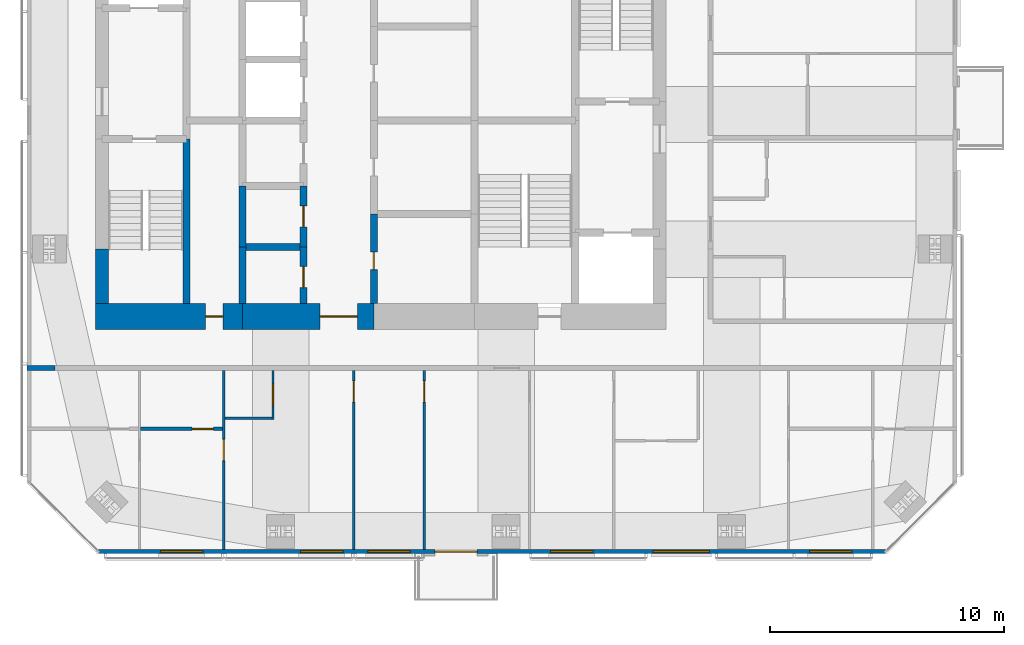
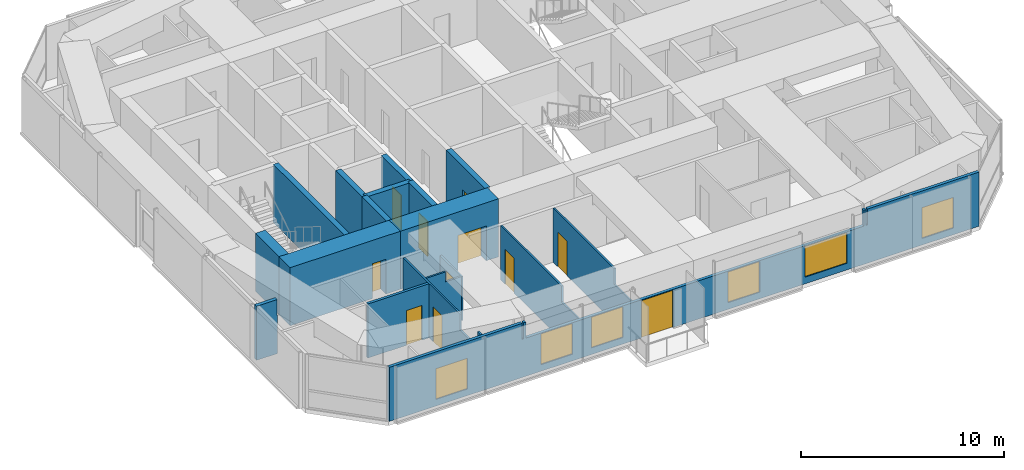
# One storey, part 13 of 18: 18 walls, 11 doors, 6 windows, 17 openings.
"""IFC4 building model written with IfcOpenShell, lengths in metres."""

from ifc_helpers import new_model, si_unit, direction, frame, frame_2d, origin, place, context, subcontext, project, spatial, polyline, rectangle, outline, extrude, material, layer, layer_set, constituent, constituent_set, type_object, element, fill, save


model = new_model("IFC4")

# Units and contexts
model_context = context("Model", 3, precision=1e-05, world=origin(), true_north=direction((0.0, 1.0)))
body_context = subcontext(model_context, "Body", "Model", "MODEL_VIEW")
ifc_project = project(units=[si_unit("LENGTHUNIT", "METRE"), si_unit("AREAUNIT", "SQUARE_METRE"), si_unit("VOLUMEUNIT", "CUBIC_METRE"), si_unit("PLANEANGLEUNIT", "RADIAN"), si_unit("MASSUNIT", "GRAM", prefix="KILO")], contexts=[model_context])

# Site, building, storey
site_placement = place(None, origin())
site = spatial("IfcSite", under=ifc_project, at=site_placement, CompositionType="ELEMENT")
building_placement = place(site_placement, origin())
building = spatial("IfcBuilding", under=site, at=building_placement, Name="Jalousie Tower", CompositionType="ELEMENT")
storey_placement = place(building_placement, frame((0.0, 0.0, 256.449951171875)))
storey = spatial("IfcBuildingStorey", under=building, at=storey_placement, Name="L70", CompositionType="ELEMENT", Elevation=256.449951171875)

# Wall, opening, door
ifc_material_1 = material(Name="Concrete block ASTM C90", Category="concrete")
ifc_constituent_1 = constituent(ifc_material_1, Name="Body")
ifc_material_2 = material(Name="Render")
ifc_constituent_2 = constituent(ifc_material_2, Name="Finish")
ifc_constituent_set_1 = constituent_set(constituents=[ifc_constituent_1, ifc_constituent_2])
wall_type_1 = type_object("IfcWallType", Name="BATHROOM WALL 150", PredefinedType="PLUMBINGWALL", material=ifc_constituent_set_1)
wall_1_placement = place(storey_placement, frame((21.64990234375, 5.324951171875, 0.0), z_axis=(0.0, 0.0, 1.0), x_axis=(1.0, 0.0, 0.0)))
wall_1 = element("IfcWall", 1, at=wall_1_placement, inside=storey, type_object=wall_type_1, Name="Bathroom Wall 150 L70", PredefinedType="PLUMBINGWALL", context=body_context, shape_type="SweptSolid", body=[
    extrude(rectangle(XDim=3.5, YDim=0.14990234375, at=frame_2d((1.75, 0.0))), origin(), (0.0, 0.0, 1.0), 3.260009765625),
])
opening_1_placement = place(wall_1_placement, frame((2.199951171875, 0.0, 0.0)))
opening_1 = element("IfcOpeningElement", 2, at=opening_1_placement, cuts=wall_1, Name="Opening D3", PredefinedType="OPENING", context=body_context, shape_type="SweptSolid", body=[
    extrude(rectangle(XDim=0.89990234375, YDim=2.10009765625, at=frame_2d((0.449951171875, 1.050048828125))), frame((0.0, 0.0849609375, 0.0), z_axis=(0.0, -1.0, 0.0), x_axis=(1.0, 0.0, 0.0)), (0.0, 0.0, 1.0), 0.169921875),
])
ifc_material_3 = material(Name="Timber door", Category="wood")
door_type_1 = type_object("IfcDoorType", Name="BATHROOM DOOR 900", OperationType="SINGLE_SWING_LEFT", PredefinedType="DOOR", material=ifc_material_3)
door_1_placement = place(opening_1_placement, origin())
door_1 = element("IfcDoor", 3, at=door_1_placement, inside=storey, type_object=door_type_1, Name="Apartment 7001 bedroom 2 bathroom door", OperationType="SINGLE_SWING_RIGHT", OverallHeight=2.10009765625, OverallWidth=0.89990234375, PredefinedType="DOOR", context=body_context, shape_type="SweptSolid", body=[
    extrude(rectangle(XDim=0.89990234375, YDim=2.10009765625, at=frame_2d((0.449951171875, 1.050048828125))), frame((0.0, 0.02490234375, 0.0), z_axis=(0.0, -1.0, 0.0), x_axis=(1.0, 0.0, 0.0)), (0.0, 0.0, 1.0), 0.050048828125),
])
fill(opening_1, door_1)

ifc_material_4 = material(Name="Concrete f'c 120 MPa", Category="concrete")
ifc_layer_1 = layer(ifc_material_4, 1.10009765625)
ifc_layer_set_1 = layer_set([ifc_layer_1], Name="Concrete f'c 120 MPa")
wall_type_2 = type_object("IfcWallType", Name="CORE WALL 1100", PredefinedType="SHEAR", material=ifc_layer_set_1)
wall_2_placement = place(storey_placement, frame((19.72509765625, 10.125, 0.0), z_axis=(0.0, 0.0, 1.0), x_axis=(1.0, 0.0, 0.0)))
wall_2 = element("IfcWall", 4, at=wall_2_placement, inside=storey, type_object=wall_type_2, Name="Core wall SA L70", PredefinedType="SHEAR", context=body_context, shape_type="SweptSolid", body=[
    extrude(rectangle(XDim=6.27490234375, YDim=1.10009765625, at=frame_2d((3.137451171875, 0.0))), origin(), (0.0, 0.0, 1.0), 3.5),
])
opening_2_placement = place(wall_2_placement, frame((4.699951171875, 0.0, 0.0)))
opening_2 = element("IfcOpeningElement", 5, at=opening_2_placement, cuts=wall_2, Name="Opening D16", PredefinedType="OPENING", context=body_context, shape_type="SweptSolid", body=[
    extrude(rectangle(XDim=0.75, YDim=2.10009765625, at=frame_2d((0.375, 1.050048828125))), frame((0.0, 0.56005859375, 0.0), z_axis=(0.0, -1.0, 0.0), x_axis=(1.0, 0.0, 0.0)), (0.0, 0.0, 1.0), 1.1201171875),
])
ifc_material_5 = material(Name="Steel fire door", Category="steel")
door_type_2 = type_object("IfcDoorType", Name="RISER DOOR 750", OperationType="SINGLE_SWING_LEFT", PredefinedType="DOOR", material=ifc_material_5)
door_2_placement = place(opening_2_placement, origin())
door_2 = element("IfcDoor", 6, at=door_2_placement, inside=storey, type_object=door_type_2, Name="South riser door", OperationType="SINGLE_SWING_RIGHT", OverallHeight=2.10009765625, OverallWidth=0.75, PredefinedType="DOOR", context=body_context, shape_type="SweptSolid", body=[
    extrude(rectangle(XDim=0.75, YDim=2.10009765625, at=frame_2d((0.375, 1.050048828125))), frame((0.0, 0.02490234375, 0.0), z_axis=(0.0, -1.0, 0.0), x_axis=(1.0, 0.0, 0.0)), (0.0, 0.0, 1.0), 0.050048828125),
])
fill(opening_2, door_2)

wall_3_placement = place(storey_placement, frame((26.0, 10.125, 0.0), z_axis=(0.0, 0.0, 1.0), x_axis=(1.0, 0.0, 0.0)))
wall_3 = element("IfcWall", 7, at=wall_3_placement, inside=storey, type_object=wall_type_2, Name="Core wall SB L70", PredefinedType="SHEAR", context=body_context, shape_type="SweptSolid", body=[
    extrude(rectangle(XDim=5.60009765625, YDim=1.10009765625, at=frame_2d((2.800048828125, 0.0))), origin(), (0.0, 0.0, 1.0), 3.5),
])
opening_3_placement = place(wall_3_placement, frame((3.300048828125, 0.0, 0.0)))
opening_3 = element("IfcOpeningElement", 8, at=opening_3_placement, cuts=wall_3, Name="Opening D15", PredefinedType="OPENING", context=body_context, shape_type="SweptSolid", body=[
    extrude(rectangle(XDim=1.60009765625, YDim=2.10009765625, at=frame_2d((0.800048828125, 1.050048828125))), frame((0.0, 0.56005859375, 0.0), z_axis=(0.0, -1.0, 0.0), x_axis=(1.0, 0.0, 0.0)), (0.0, 0.0, 1.0), 1.1201171875),
])
ifc_material_6 = material(Name="Steel fire door", Category="steel")
door_type_3 = type_object("IfcDoorType", Name="LIFT LOBBY DOOR 1600", OperationType="DOUBLE_DOOR_SINGLE_SWING", PredefinedType="DOOR", material=ifc_material_6)
door_3_placement = place(opening_3_placement, origin())
door_3 = element("IfcDoor", 9, at=door_3_placement, inside=storey, type_object=door_type_3, Name="Lift lobby south door", OperationType="DOUBLE_DOOR_SINGLE_SWING", OverallHeight=2.10009765625, OverallWidth=1.60009765625, PredefinedType="DOOR", context=body_context, shape_type="SweptSolid", body=[
    extrude(rectangle(XDim=1.60009765625, YDim=2.10009765625, at=frame_2d((0.800048828125, 1.050048828125))), frame((0.0, 0.02490234375, 0.0), z_axis=(0.0, -1.0, 0.0), x_axis=(1.0, 0.0, 0.0)), (0.0, 0.0, 1.0), 0.050048828125),
])
fill(opening_3, door_3)

# Walls
ifc_material_7 = material(Name="Concrete f'c 120 MPa", Category="concrete")
ifc_layer_2 = layer(ifc_material_7, 0.300048828125)
ifc_layer_set_2 = layer_set([ifc_layer_2], Name="Concrete f'c 120 MPa")
wall_type_3 = type_object("IfcWallType", Name="CORE WALL 300", PredefinedType="SHEAR", material=ifc_layer_set_2)
wall_4_placement = place(storey_placement, frame((23.60009765625, 10.675048828125, 0.0), z_axis=(0.0, 0.0, 1.0), x_axis=(0.0, 1.0, 0.0)))
element("IfcWall", 10, at=wall_4_placement, inside=storey, type_object=wall_type_3, Name="Core wall X23.6A L70", PredefinedType="SHEAR", context=body_context, shape_type="SweptSolid", body=[
    extrude(rectangle(XDim=7.02490234375, YDim=0.300048828125, at=frame_2d((3.512451171875, 0.0))), origin(), (0.0, 0.0, 1.0), 3.5),
])
wall_5_placement = place(storey_placement, frame((26.0, 10.675048828125, 0.0), z_axis=(0.0, 0.0, 1.0), x_axis=(0.0, 1.0, 0.0)))
element("IfcWall", 11, at=wall_5_placement, inside=storey, type_object=wall_type_3, Name="Core wall X26A L70", PredefinedType="SHEAR", context=body_context, shape_type="SweptSolid", body=[
    extrude(rectangle(XDim=2.425048828125, YDim=0.300048828125, at=frame_2d((1.21240234375, 0.0))), origin(), (0.0, 0.0, 1.0), 3.5),
])
wall_6_placement = place(storey_placement, frame((26.0, 13.10009765625, 0.0), z_axis=(0.0, 0.0, 1.0), x_axis=(0.0, 1.0, 0.0)))
element("IfcWall", 12, at=wall_6_placement, inside=storey, type_object=wall_type_3, Name="Core wall X26B L70", PredefinedType="SHEAR", context=body_context, shape_type="SweptSolid", body=[
    extrude(rectangle(XDim=2.599853515625, YDim=0.300048828125, at=frame_2d((1.2998046875, 0.0))), origin(), (0.0, 0.0, 1.0), 3.5),
])

# Wall, opening, door
wall_7_placement = place(storey_placement, frame((28.60009765625, 10.675048828125, 0.0), z_axis=(0.0, 0.0, 1.0), x_axis=(0.0, 1.0, 0.0)))
wall_7 = element("IfcWall", 13, at=wall_7_placement, inside=storey, type_object=wall_type_3, Name="Core wall X28.6A L70", PredefinedType="SHEAR", context=body_context, shape_type="SweptSolid", body=[
    extrude(rectangle(XDim=2.425048828125, YDim=0.300048828125, at=frame_2d((1.21240234375, 0.0))), origin(), (0.0, 0.0, 1.0), 3.5),
])
opening_4_placement = place(wall_7_placement, frame((0.6875, 0.0, 0.0)))
opening_4 = element("IfcOpeningElement", 14, at=opening_4_placement, cuts=wall_7, Name="Opening D24", PredefinedType="OPENING", context=body_context, shape_type="SweptSolid", body=[
    extrude(rectangle(XDim=0.89990234375, YDim=2.10009765625, at=frame_2d((0.449951171875, 1.050048828125))), frame((0.0, 0.159912109375, 0.0), z_axis=(0.0, -1.0, 0.0), x_axis=(1.0, 0.0, 0.0)), (0.0, 0.0, 1.0), 0.320068359375),
])
ifc_material_8 = material(Name="Steel fire door", Category="steel")
door_type_4 = type_object("IfcDoorType", Name="CORE ROOM DOOR 900", OperationType="SINGLE_SWING_LEFT", PredefinedType="DOOR", material=ifc_material_8)
door_4_placement = place(opening_4_placement, origin())
door_4 = element("IfcDoor", 15, at=door_4_placement, inside=storey, type_object=door_type_4, Name="Staff WC door", OperationType="SINGLE_SWING_RIGHT", OverallHeight=2.10009765625, OverallWidth=0.89990234375, PredefinedType="DOOR", context=body_context, shape_type="SweptSolid", body=[
    extrude(rectangle(XDim=0.89990234375, YDim=2.10009765625, at=frame_2d((0.449951171875, 1.050048828125))), frame((0.0, 0.02490234375, 0.0), z_axis=(0.0, -1.0, 0.0), x_axis=(1.0, 0.0, 0.0)), (0.0, 0.0, 1.0), 0.050048828125),
])
fill(opening_4, door_4)

wall_8_placement = place(storey_placement, frame((28.60009765625, 13.10009765625, 0.0), z_axis=(0.0, 0.0, 1.0), x_axis=(0.0, 1.0, 0.0)))
wall_8 = element("IfcWall", 16, at=wall_8_placement, inside=storey, type_object=wall_type_3, Name="Core wall X28.6B L70", PredefinedType="SHEAR", context=body_context, shape_type="SweptSolid", body=[
    extrude(rectangle(XDim=2.599853515625, YDim=0.300048828125, at=frame_2d((1.2998046875, 0.0))), origin(), (0.0, 0.0, 1.0), 3.5),
])
opening_5_placement = place(wall_8_placement, frame((0.85009765625, 0.0, 0.0)))
opening_5 = element("IfcOpeningElement", 17, at=opening_5_placement, cuts=wall_8, Name="Opening D24", PredefinedType="OPENING", context=body_context, shape_type="SweptSolid", body=[
    extrude(rectangle(XDim=0.89990234375, YDim=2.10009765625, at=frame_2d((0.449951171875, 1.050048828125))), frame((0.0, 0.159912109375, 0.0), z_axis=(0.0, -1.0, 0.0), x_axis=(1.0, 0.0, 0.0)), (0.0, 0.0, 1.0), 0.320068359375),
])
door_5_placement = place(opening_5_placement, origin())
door_5 = element("IfcDoor", 18, at=door_5_placement, inside=storey, type_object=door_type_4, Name="IT room door", OperationType="SINGLE_SWING_RIGHT", OverallHeight=2.10009765625, OverallWidth=0.89990234375, PredefinedType="DOOR", context=body_context, shape_type="SweptSolid", body=[
    extrude(rectangle(XDim=0.89990234375, YDim=2.10009765625, at=frame_2d((0.449951171875, 1.050048828125))), frame((0.0, 0.02490234375, 0.0), z_axis=(0.0, -1.0, 0.0), x_axis=(1.0, 0.0, 0.0)), (0.0, 0.0, 1.0), 0.050048828125),
])
fill(opening_5, door_5)

wall_9_placement = place(storey_placement, frame((31.60009765625, 10.675048828125, 0.0), z_axis=(0.0, 0.0, 1.0), x_axis=(0.0, 1.0, 0.0)))
wall_9 = element("IfcWall", 19, at=wall_9_placement, inside=storey, type_object=wall_type_3, Name="Core wall X31.6A L70", PredefinedType="SHEAR", context=body_context, shape_type="SweptSolid", body=[
    extrude(rectangle(XDim=3.824951171875, YDim=0.300048828125, at=frame_2d((1.91259765625, 0.0))), origin(), (0.0, 0.0, 1.0), 3.5),
])
opening_6_placement = place(wall_9_placement, frame((1.449951171875, 0.0, 0.0)))
opening_6 = element("IfcOpeningElement", 20, at=opening_6_placement, cuts=wall_9, Name="Opening D16", PredefinedType="OPENING", context=body_context, shape_type="SweptSolid", body=[
    extrude(rectangle(XDim=0.75, YDim=2.10009765625, at=frame_2d((0.375, 1.050048828125))), frame((0.0, 0.159912109375, 0.0), z_axis=(0.0, -1.0, 0.0), x_axis=(1.0, 0.0, 0.0)), (0.0, 0.0, 1.0), 0.320068359375),
])
door_6_placement = place(opening_6_placement, frame((0.75, 0.0, 0.0), z_axis=(0.0, 0.0, 1.0), x_axis=(-1.0, 0.0, 0.0)))
door_6 = element("IfcDoor", 21, at=door_6_placement, inside=storey, type_object=door_type_2, Name="Refuse Room door", OperationType="SINGLE_SWING_RIGHT", OverallHeight=2.10009765625, OverallWidth=0.75, PredefinedType="DOOR", context=body_context, shape_type="SweptSolid", body=[
    extrude(rectangle(XDim=0.75, YDim=2.10009765625, at=frame_2d((0.375, 1.050048828125))), frame((0.0, 0.02490234375, 0.0), z_axis=(0.0, -1.0, 0.0), x_axis=(1.0, 0.0, 0.0)), (0.0, 0.0, 1.0), 0.050048828125),
])
fill(opening_6, door_6)

# Walls
wall_10_placement = place(storey_placement, frame((26.0, 13.10009765625, 0.0), z_axis=(0.0, 0.0, 1.0), x_axis=(1.0, 0.0, 0.0)))
element("IfcWall", 22, at=wall_10_placement, inside=storey, type_object=wall_type_3, Name="Core wall Y26-13.1 L70", PredefinedType="SHEAR", context=body_context, shape_type="SweptSolid", body=[
    extrude(rectangle(XDim=2.60009765625, YDim=0.300048828125, at=frame_2d((1.300048828125, 0.0))), origin(), (0.0, 0.0, 1.0), 3.5),
])
ifc_material_9 = material(Name="Concrete f'c 120 MPa", Category="concrete")
ifc_layer_3 = layer(ifc_material_9, 0.550048828125)
ifc_layer_set_3 = layer_set([ifc_layer_3], Name="Concrete f'c 120 MPa")
wall_type_4 = type_object("IfcWallType", Name="CORE WALL 550", PredefinedType="SHEAR", material=ifc_layer_set_3)
wall_11_placement = place(storey_placement, frame((20.0, 13.0, 0.0), z_axis=(0.0, 0.0, 1.0), x_axis=(0.0, -1.0, 0.0)))
element("IfcWall", 23, at=wall_11_placement, inside=storey, type_object=wall_type_4, Name="Core wall WD L70", PredefinedType="SHEAR", context=body_context, shape_type="SweptSolid", body=[
    extrude(rectangle(XDim=2.324951171875, YDim=0.550048828125, at=frame_2d((1.16259765625, 0.0))), origin(), (0.0, 0.0, 1.0), 3.5),
])

# Wall, openings, door, windows
ifc_material_10 = material(Name="Concrete f'c 40 MPa", Category="concrete")
ifc_constituent_3 = constituent(ifc_material_10, Name="Body")
ifc_material_11 = material(Name="Render, pastel sky blue")
ifc_constituent_4 = constituent(ifc_material_11, Name="Finish")
ifc_constituent_set_2 = constituent_set(constituents=[ifc_constituent_3, ifc_constituent_4])
wall_type_5 = type_object("IfcWallType", Name="EXTERNAL WALL 175 SKY BLUE RENDER", PredefinedType="SOLIDWALL", material=ifc_constituent_set_2)
wall_12_placement = place(storey_placement, frame((19.851318359375, 0.08740234375, 0.0), z_axis=(0.0, 0.0, 1.0), x_axis=(1.0, 0.0, 0.0)))
wall_12 = element("IfcWall", 24, at=wall_12_placement, inside=storey, type_object=wall_type_5, Name="External Wall 175 Sky Blue Render L70", PredefinedType="SOLIDWALL", context=body_context, shape_type="SweptSolid", body=[
    extrude(outline(polyline([(0.0, 0.0), (33.597412109375, 0.0), (33.597412109375, 3.260009765625), (27.238525390625, 3.260009765625), (27.238525390625, 2.300048828125), (27.155029296875, 2.300048828125), (27.155029296875, 3.260009765625), (27.023681640625, 3.260009765625), (27.023681640625, 2.300048828125), (7.773681640625, 2.300048828125), (7.773681640625, 3.260009765625), (7.642333984375, 3.260009765625), (7.642333984375, 2.300048828125), (7.558837890625, 2.300048828125), (7.558837890625, 3.260009765625), (0.0, 3.260009765625), (0.0, 0.0)])), frame((0.0, 0.08740234375, 0.0), z_axis=(0.0, -1.0, 0.0), x_axis=(1.0, 0.0, 0.0)), (0.0, 0.0, 1.0), 0.175048828125),
])
opening_7_placement = place(wall_12_placement, frame((2.648681640625, 0.0, 0.39990234375)))
opening_7 = element("IfcOpeningElement", 25, at=opening_7_placement, cuts=wall_12, Name="Opening W-BED185", PredefinedType="OPENING", context=body_context, shape_type="SweptSolid", body=[
    extrude(rectangle(XDim=1.800048828125, YDim=1.85009765625, at=frame_2d((0.89990234375, 0.925048828125))), frame((0.0, 0.097412109375, 0.0), z_axis=(0.0, -1.0, 0.0), x_axis=(1.0, 0.0, 0.0)), (0.0, 0.0, 1.0), 0.195068359375),
])
opening_8_placement = place(wall_12_placement, frame((8.625, 0.0, 0.39990234375)))
opening_8 = element("IfcOpeningElement", 26, at=opening_8_placement, cuts=wall_12, Name="Opening W-BED185", PredefinedType="OPENING", context=body_context, shape_type="SweptSolid", body=[
    extrude(rectangle(XDim=1.800048828125, YDim=1.85009765625, at=frame_2d((0.89990234375, 0.925048828125))), frame((0.0, 0.097412109375, 0.0), z_axis=(0.0, -1.0, 0.0), x_axis=(1.0, 0.0, 0.0)), (0.0, 0.0, 1.0), 0.195068359375),
])
opening_9_placement = place(wall_12_placement, frame((11.498779296875, 0.0, 0.39990234375)))
opening_9 = element("IfcOpeningElement", 27, at=opening_9_placement, cuts=wall_12, Name="Opening W-BED185", PredefinedType="OPENING", context=body_context, shape_type="SweptSolid", body=[
    extrude(rectangle(XDim=1.800048828125, YDim=1.85009765625, at=frame_2d((0.89990234375, 0.925048828125))), frame((0.0, 0.097412109375, 0.0), z_axis=(0.0, -1.0, 0.0), x_axis=(1.0, 0.0, 0.0)), (0.0, 0.0, 1.0), 0.195068359375),
])
opening_10_placement = place(wall_12_placement, frame((14.358642578125, 0.0, 0.0)))
opening_10 = element("IfcOpeningElement", 28, at=opening_10_placement, cuts=wall_12, Name="Opening D-BAL22", PredefinedType="OPENING", context=body_context, shape_type="SweptSolid", body=[
    extrude(rectangle(XDim=1.800048828125, YDim=2.25, at=frame_2d((0.89990234375, 1.125))), frame((0.0, 0.097412109375, 0.0), z_axis=(0.0, -1.0, 0.0), x_axis=(1.0, 0.0, 0.0)), (0.0, 0.0, 1.0), 0.195068359375),
])
opening_11_placement = place(wall_12_placement, frame((19.298583984375, 0.0, 0.39990234375)))
opening_11 = element("IfcOpeningElement", 29, at=opening_11_placement, cuts=wall_12, Name="Opening W-BED185", PredefinedType="OPENING", context=body_context, shape_type="SweptSolid", body=[
    extrude(rectangle(XDim=1.800048828125, YDim=1.85009765625, at=frame_2d((0.89990234375, 0.925048828125))), frame((0.0, 0.097412109375, 0.0), z_axis=(0.0, -1.0, 0.0), x_axis=(1.0, 0.0, 0.0)), (0.0, 0.0, 1.0), 0.195068359375),
])
opening_12_placement = place(wall_12_placement, frame((23.673583984375, 0.0, 0.39990234375)))
opening_12 = element("IfcOpeningElement", 30, at=opening_12_placement, cuts=wall_12, Name="Opening W-LIV185", PredefinedType="OPENING", context=body_context, shape_type="SweptSolid", body=[
    extrude(rectangle(XDim=2.39990234375, YDim=1.85009765625, at=frame_2d((1.199951171875, 0.925048828125))), frame((0.0, 0.097412109375, 0.0), z_axis=(0.0, -1.0, 0.0), x_axis=(1.0, 0.0, 0.0)), (0.0, 0.0, 1.0), 0.195068359375),
])
opening_13_placement = place(wall_12_placement, frame((30.3486328125, 0.0, 0.39990234375)))
opening_13 = element("IfcOpeningElement", 31, at=opening_13_placement, cuts=wall_12, Name="Opening W-BED185", PredefinedType="OPENING", context=body_context, shape_type="SweptSolid", body=[
    extrude(rectangle(XDim=1.800048828125, YDim=1.85009765625, at=frame_2d((0.89990234375, 0.925048828125))), frame((0.0, 0.097412109375, 0.0), z_axis=(0.0, -1.0, 0.0), x_axis=(1.0, 0.0, 0.0)), (0.0, 0.0, 1.0), 0.195068359375),
])
ifc_material_12 = material(Name="Aluminium frame, impact-rated glazing", Category="aluminium")
door_type_5 = type_object("IfcDoorType", Name="BALCONY DOOR 1800x2250", OperationType="SLIDING_TO_LEFT", PredefinedType="DOOR", material=ifc_material_12)
door_7_placement = place(opening_10_placement, origin())
door_7 = element("IfcDoor", 32, at=door_7_placement, inside=storey, type_object=door_type_5, Name="Apartment 7001 snug balcony door", OperationType="SLIDING_TO_LEFT", OverallHeight=2.25, OverallWidth=1.800048828125, PredefinedType="DOOR", context=body_context, shape_type="SweptSolid", body=[
    extrude(rectangle(XDim=1.800048828125, YDim=2.25, at=frame_2d((0.89990234375, 1.125))), frame((0.0, 0.02490234375, 0.0), z_axis=(0.0, -1.0, 0.0), x_axis=(1.0, 0.0, 0.0)), (0.0, 0.0, 1.0), 0.050048828125),
])
fill(opening_10, door_7)
ifc_material_13 = material(Name="Aluminium frame, impact-rated glazing", Category="aluminium")
window_type_1 = type_object("IfcWindowType", Name="WINDOW BED 1800x1850", PartitioningType="SINGLE_PANEL", PredefinedType="WINDOW", material=ifc_material_13)
window_1_placement = place(opening_7_placement, origin())
window_1 = element("IfcWindow", 33, at=window_1_placement, inside=storey, type_object=window_type_1, Name="Apartment 7001 bedroom 2 window", OverallHeight=1.85009765625, OverallWidth=1.800048828125, PartitioningType="SINGLE_PANEL", PredefinedType="WINDOW", context=body_context, shape_type="SweptSolid", body=[
    extrude(rectangle(XDim=1.800048828125, YDim=1.85009765625, at=frame_2d((0.89990234375, 0.925048828125))), frame((0.0, 0.030029296875, 0.0), z_axis=(0.0, -1.0, 0.0), x_axis=(1.0, 0.0, 0.0)), (0.0, 0.0, 1.0), 0.06005859375),
])
fill(opening_7, window_1)
window_2_placement = place(opening_8_placement, origin())
window_2 = element("IfcWindow", 34, at=window_2_placement, inside=storey, type_object=window_type_1, Name="Apartment 7001 study window", OverallHeight=1.85009765625, OverallWidth=1.800048828125, PartitioningType="SINGLE_PANEL", PredefinedType="WINDOW", context=body_context, shape_type="SweptSolid", body=[
    extrude(rectangle(XDim=1.800048828125, YDim=1.85009765625, at=frame_2d((0.89990234375, 0.925048828125))), frame((0.0, 0.030029296875, 0.0), z_axis=(0.0, -1.0, 0.0), x_axis=(1.0, 0.0, 0.0)), (0.0, 0.0, 1.0), 0.06005859375),
])
fill(opening_8, window_2)
window_3_placement = place(opening_9_placement, origin())
window_3 = element("IfcWindow", 35, at=window_3_placement, inside=storey, type_object=window_type_1, Name="Apartment 7001 home office window", OverallHeight=1.85009765625, OverallWidth=1.800048828125, PartitioningType="SINGLE_PANEL", PredefinedType="WINDOW", context=body_context, shape_type="SweptSolid", body=[
    extrude(rectangle(XDim=1.800048828125, YDim=1.85009765625, at=frame_2d((0.89990234375, 0.925048828125))), frame((0.0, 0.030029296875, 0.0), z_axis=(0.0, -1.0, 0.0), x_axis=(1.0, 0.0, 0.0)), (0.0, 0.0, 1.0), 0.06005859375),
])
fill(opening_9, window_3)
window_4_placement = place(opening_11_placement, origin())
window_4 = element("IfcWindow", 36, at=window_4_placement, inside=storey, type_object=window_type_1, Name="Apartment 7001 den window", OverallHeight=1.85009765625, OverallWidth=1.800048828125, PartitioningType="SINGLE_PANEL", PredefinedType="WINDOW", context=body_context, shape_type="SweptSolid", body=[
    extrude(rectangle(XDim=1.800048828125, YDim=1.85009765625, at=frame_2d((0.89990234375, 0.925048828125))), frame((0.0, 0.030029296875, 0.0), z_axis=(0.0, -1.0, 0.0), x_axis=(1.0, 0.0, 0.0)), (0.0, 0.0, 1.0), 0.06005859375),
])
fill(opening_11, window_4)
window_5_placement = place(opening_13_placement, origin())
window_5 = element("IfcWindow", 37, at=window_5_placement, inside=storey, type_object=window_type_1, Name="Apartment 7001 bedroom 3 window", OverallHeight=1.85009765625, OverallWidth=1.800048828125, PartitioningType="SINGLE_PANEL", PredefinedType="WINDOW", context=body_context, shape_type="SweptSolid", body=[
    extrude(rectangle(XDim=1.800048828125, YDim=1.85009765625, at=frame_2d((0.89990234375, 0.925048828125))), frame((0.0, 0.030029296875, 0.0), z_axis=(0.0, -1.0, 0.0), x_axis=(1.0, 0.0, 0.0)), (0.0, 0.0, 1.0), 0.06005859375),
])
fill(opening_13, window_5)
ifc_material_14 = material(Name="Aluminium frame, impact-rated glazing", Category="aluminium")
window_type_2 = type_object("IfcWindowType", Name="WINDOW LIV 2400x1850", PartitioningType="DOUBLE_PANEL_VERTICAL", PredefinedType="WINDOW", material=ifc_material_14)
window_6_placement = place(opening_12_placement, origin())
window_6 = element("IfcWindow", 38, at=window_6_placement, inside=storey, type_object=window_type_2, Name="Apartment 7001 living and dining room window", OverallHeight=1.85009765625, OverallWidth=2.39990234375, PartitioningType="SINGLE_PANEL", PredefinedType="WINDOW", context=body_context, shape_type="SweptSolid", body=[
    extrude(rectangle(XDim=2.39990234375, YDim=1.85009765625, at=frame_2d((1.199951171875, 0.925048828125))), frame((0.0, 0.030029296875, 0.0), z_axis=(0.0, -1.0, 0.0), x_axis=(1.0, 0.0, 0.0)), (0.0, 0.0, 1.0), 0.06005859375),
])
fill(opening_12, window_6)

# Wall, opening, door
ifc_material_15 = material(Name="Gypsum board", Category="gypsum")
ifc_constituent_5 = constituent(ifc_material_15, Name="Body")
ifc_material_16 = material(Name="Light-gauge steel studs ASTM A653 SS Grade 33", Category="steel")
ifc_constituent_6 = constituent(ifc_material_16, Name="Framing")
ifc_constituent_set_3 = constituent_set(constituents=[ifc_constituent_5, ifc_constituent_6])
wall_type_6 = type_object("IfcWallType", Name="PARTITION 100", PredefinedType="PARTITIONING", material=ifc_constituent_set_3)
wall_13_placement = place(storey_placement, frame((25.199951171875, 0.175048828125, 0.0), z_axis=(0.0, 0.0, 1.0), x_axis=(0.0, 1.0, 0.0)))
wall_13 = element("IfcWall", 39, at=wall_13_placement, inside=storey, type_object=wall_type_6, Name="Partition 100 L70", PredefinedType="PARTITIONING", context=body_context, shape_type="SweptSolid", body=[
    extrude(outline(polyline([(0.0, 0.0), (7.64990234375, 0.0), (7.64990234375, 3.260009765625), (2.05810546875, 3.260009765625), (2.05810546875, 2.300048828125), (0.313720703125, 2.300048828125), (0.313720703125, 3.260009765625), (0.0, 3.260009765625), (0.0, 0.0)])), frame((0.0, 0.050048828125, 0.0), z_axis=(0.0, -1.0, 0.0), x_axis=(1.0, 0.0, 0.0)), (0.0, 0.0, 1.0), 0.10009765625),
])
opening_14_placement = place(wall_13_placement, frame((3.800048828125, 0.0, 0.0)))
opening_14 = element("IfcOpeningElement", 40, at=opening_14_placement, cuts=wall_13, Name="Opening D2", PredefinedType="OPENING", context=body_context, shape_type="SweptSolid", body=[
    extrude(rectangle(XDim=0.89990234375, YDim=2.10009765625, at=frame_2d((0.449951171875, 1.050048828125))), frame((0.0, 0.06005859375, 0.0), z_axis=(0.0, -1.0, 0.0), x_axis=(1.0, 0.0, 0.0)), (0.0, 0.0, 1.0), 0.1201171875),
])
ifc_material_17 = material(Name="Timber door", Category="wood")
door_type_6 = type_object("IfcDoorType", Name="BEDROOM DOOR 900", OperationType="SINGLE_SWING_LEFT", PredefinedType="DOOR", material=ifc_material_17)
door_8_placement = place(opening_14_placement, frame((0.89990234375, 0.0, 0.0), z_axis=(0.0, 0.0, 1.0), x_axis=(-1.0, 0.0, 0.0)))
door_8 = element("IfcDoor", 41, at=door_8_placement, inside=storey, type_object=door_type_6, Name="Apartment 7001 bedroom 2 door", OperationType="SINGLE_SWING_LEFT", OverallHeight=2.10009765625, OverallWidth=0.89990234375, PredefinedType="DOOR", context=body_context, shape_type="SweptSolid", body=[
    extrude(rectangle(XDim=0.89990234375, YDim=2.10009765625, at=frame_2d((0.449951171875, 1.050048828125))), frame((0.0, 0.02490234375, 0.0), z_axis=(0.0, -1.0, 0.0), x_axis=(1.0, 0.0, 0.0)), (0.0, 0.0, 1.0), 0.050048828125),
])
fill(opening_14, door_8)

wall_14_placement = place(storey_placement, frame((30.75, 0.175048828125, 0.0), z_axis=(0.0, 0.0, 1.0), x_axis=(0.0, 1.0, 0.0)))
wall_14 = element("IfcWall", 42, at=wall_14_placement, inside=storey, type_object=wall_type_6, Name="Partition 100 L70", PredefinedType="PARTITIONING", context=body_context, shape_type="SweptSolid", body=[
    extrude(outline(polyline([(0.0, 0.0), (7.64990234375, 0.0), (7.64990234375, 3.260009765625), (1.635009765625, 3.260009765625), (1.635009765625, 2.300048828125), (0.0, 2.300048828125), (0.0, 3.260009765625), (0.0, 0.0)])), frame((0.0, 0.050048828125, 0.0), z_axis=(0.0, -1.0, 0.0), x_axis=(1.0, 0.0, 0.0)), (0.0, 0.0, 1.0), 0.10009765625),
])
opening_15_placement = place(wall_14_placement, frame((6.300048828125, 0.0, 0.0)))
opening_15 = element("IfcOpeningElement", 43, at=opening_15_placement, cuts=wall_14, Name="Opening D2", PredefinedType="OPENING", context=body_context, shape_type="SweptSolid", body=[
    extrude(rectangle(XDim=0.89990234375, YDim=2.10009765625, at=frame_2d((0.449951171875, 1.050048828125))), frame((0.0, 0.06005859375, 0.0), z_axis=(0.0, -1.0, 0.0), x_axis=(1.0, 0.0, 0.0)), (0.0, 0.0, 1.0), 0.1201171875),
])
door_9_placement = place(opening_15_placement, origin())
door_9 = element("IfcDoor", 44, at=door_9_placement, inside=storey, type_object=door_type_6, Name="Apartment 7001 study door", OperationType="SINGLE_SWING_RIGHT", OverallHeight=2.10009765625, OverallWidth=0.89990234375, PredefinedType="DOOR", context=body_context, shape_type="SweptSolid", body=[
    extrude(rectangle(XDim=0.89990234375, YDim=2.10009765625, at=frame_2d((0.449951171875, 1.050048828125))), frame((0.0, 0.02490234375, 0.0), z_axis=(0.0, -1.0, 0.0), x_axis=(1.0, 0.0, 0.0)), (0.0, 0.0, 1.0), 0.050048828125),
])
fill(opening_15, door_9)

wall_15_placement = place(storey_placement, frame((33.75, 0.175048828125, 0.0), z_axis=(0.0, 0.0, 1.0), x_axis=(0.0, 1.0, 0.0)))
wall_15 = element("IfcWall", 45, at=wall_15_placement, inside=storey, type_object=wall_type_6, Name="Partition 100 L70", PredefinedType="PARTITIONING", context=body_context, shape_type="SweptSolid", body=[
    extrude(outline(polyline([(0.0, 0.0), (7.64990234375, 0.0), (7.64990234375, 3.260009765625), (1.635009765625, 3.260009765625), (1.635009765625, 2.300048828125), (0.0, 2.300048828125), (0.0, 3.260009765625), (0.0, 0.0)])), frame((0.0, 0.050048828125, 0.0), z_axis=(0.0, -1.0, 0.0), x_axis=(1.0, 0.0, 0.0)), (0.0, 0.0, 1.0), 0.10009765625),
])
opening_16_placement = place(wall_15_placement, frame((6.300048828125, 0.0, 0.0)))
opening_16 = element("IfcOpeningElement", 46, at=opening_16_placement, cuts=wall_15, Name="Opening D2", PredefinedType="OPENING", context=body_context, shape_type="SweptSolid", body=[
    extrude(rectangle(XDim=0.89990234375, YDim=2.10009765625, at=frame_2d((0.449951171875, 1.050048828125))), frame((0.0, 0.06005859375, 0.0), z_axis=(0.0, -1.0, 0.0), x_axis=(1.0, 0.0, 0.0)), (0.0, 0.0, 1.0), 0.1201171875),
])
door_10_placement = place(opening_16_placement, frame((0.89990234375, 0.0, 0.0), z_axis=(0.0, 0.0, 1.0), x_axis=(-1.0, 0.0, 0.0)))
door_10 = element("IfcDoor", 47, at=door_10_placement, inside=storey, type_object=door_type_6, Name="Apartment 7001 home office door", OperationType="SINGLE_SWING_LEFT", OverallHeight=2.10009765625, OverallWidth=0.89990234375, PredefinedType="DOOR", context=body_context, shape_type="SweptSolid", body=[
    extrude(rectangle(XDim=0.89990234375, YDim=2.10009765625, at=frame_2d((0.449951171875, 1.050048828125))), frame((0.0, 0.02490234375, 0.0), z_axis=(0.0, -1.0, 0.0), x_axis=(1.0, 0.0, 0.0)), (0.0, 0.0, 1.0), 0.050048828125),
])
fill(opening_16, door_10)

wall_16_placement = place(storey_placement, frame((27.300048828125, 7.824951171875, 0.0), z_axis=(0.0, 0.0, 1.0), x_axis=(0.0, -1.0, 0.0)))
wall_16 = element("IfcWall", 48, at=wall_16_placement, inside=storey, type_object=wall_type_6, Name="Partition 100 L70", PredefinedType="PARTITIONING", context=body_context, shape_type="SweptSolid", body=[
    extrude(outline(polyline([(0.0, 0.0), (2.099853515625, 0.0), (2.10009765625, 3.260009765625), (2.10009765625, 2.66015625), (0.0, 2.66015625), (0.0, 3.260009765625), (0.0, 0.0)])), frame((0.0, 0.050048828125, 0.0), z_axis=(0.0, -1.0, 0.0), x_axis=(1.0, 0.0, 0.0)), (0.0, 0.0, 1.0), 0.10009765625),
])
opening_17_placement = place(wall_16_placement, frame((0.60009765625, 0.0, 0.0)))
opening_17 = element("IfcOpeningElement", 49, at=opening_17_placement, cuts=wall_16, Name="Opening D7", PredefinedType="OPENING", context=body_context, shape_type="SweptSolid", body=[
    extrude(rectangle(XDim=0.89990234375, YDim=2.10009765625, at=frame_2d((0.449951171875, 1.050048828125))), frame((0.0, 0.06005859375, 0.0), z_axis=(0.0, -1.0, 0.0), x_axis=(1.0, 0.0, 0.0)), (0.0, 0.0, 1.0), 0.1201171875),
])
ifc_material_18 = material(Name="Timber door", Category="wood")
door_type_7 = type_object("IfcDoorType", Name="INTERNAL DOOR 900", OperationType="SINGLE_SWING_LEFT", PredefinedType="DOOR", material=ifc_material_18)
door_11_placement = place(opening_17_placement, origin())
door_11 = element("IfcDoor", 50, at=door_11_placement, inside=storey, type_object=door_type_7, Name="Apartment 7001 study store room door", OperationType="SINGLE_SWING_LEFT", OverallHeight=2.10009765625, OverallWidth=0.89990234375, PredefinedType="DOOR", context=body_context, shape_type="SweptSolid", body=[
    extrude(rectangle(XDim=0.89990234375, YDim=2.10009765625, at=frame_2d((0.449951171875, 1.050048828125))), frame((0.0, 0.02490234375, 0.0), z_axis=(0.0, -1.0, 0.0), x_axis=(1.0, 0.0, 0.0)), (0.0, 0.0, 1.0), 0.050048828125),
])
fill(opening_17, door_11)

# Walls
wall_17_placement = place(storey_placement, frame((25.25, 5.77490234375, 0.0), z_axis=(0.0, 0.0, 1.0), x_axis=(1.0, 0.0, 0.0)))
element("IfcWall", 51, at=wall_17_placement, inside=storey, type_object=wall_type_6, Name="Partition 100 L70", PredefinedType="PARTITIONING", context=body_context, shape_type="SweptSolid", body=[
    extrude(outline(polyline([(0.0, 0.0), (2.0, 0.0), (2.0, 3.260009765625), (2.0, 2.66015625), (1.114990234375, 2.66015625), (1.114990234375, 3.260009765625), (0.0, 3.260009765625), (0.0, 0.0)])), frame((0.0, 0.050048828125, 0.0), z_axis=(0.0, -1.0, 0.0), x_axis=(1.0, 0.0, 0.0)), (0.0, 0.0, 1.0), 0.10009765625),
])
ifc_material_19 = material(Name="Concrete block ASTM C90", Category="concrete")
ifc_constituent_7 = constituent(ifc_material_19, Name="Body")
ifc_material_20 = material(Name="Render")
ifc_constituent_8 = constituent(ifc_material_20, Name="Finish")
ifc_constituent_set_4 = constituent_set(constituents=[ifc_constituent_7, ifc_constituent_8])
wall_type_7 = type_object("IfcWallType", Name="PARTY WALL 200", PredefinedType="PARTITIONING", material=ifc_constituent_set_4)
wall_18_placement = place(storey_placement, frame((16.800048828125, 7.925048828125, 0.0), z_axis=(0.0, 0.0, 1.0), x_axis=(1.0, 0.0, 0.0)))
element("IfcWall", 52, at=wall_18_placement, inside=storey, type_object=wall_type_7, Name="Party Wall 200 L70", PredefinedType="PARTITIONING", context=body_context, shape_type="SweptSolid", body=[
    extrude(outline(polyline([(0.0, 0.0), (1.199951171875, 0.0), (1.199951171875, 3.260009765625), (1.199951171875, 2.300048828125), (1.172119140625, 2.300048828125), (1.172119140625, 3.260009765625), (0.0, 3.260009765625), (0.0, 0.0)])), frame((0.0, 0.10009765625, 0.0), z_axis=(0.0, -1.0, 0.0), x_axis=(1.0, 0.0, 0.0)), (0.0, 0.0, 1.0), 0.199951171875),
])

save(model, "model.ifc")
